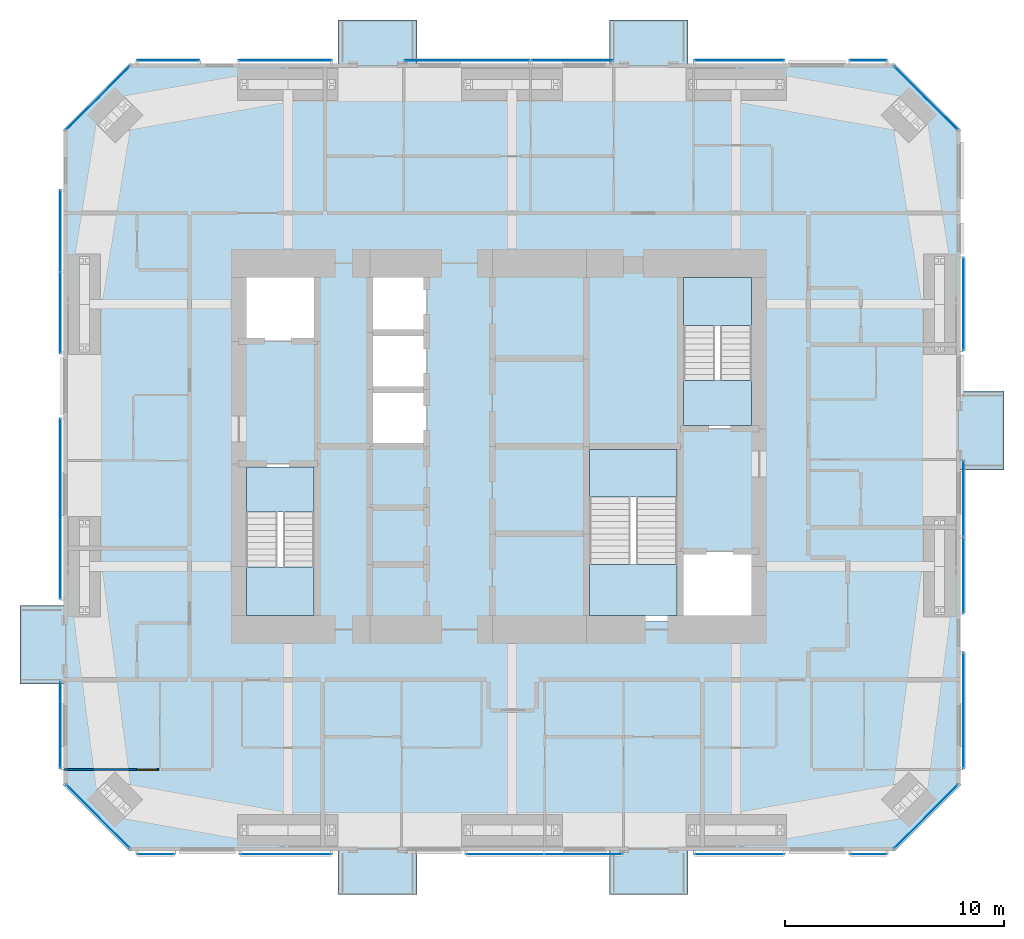
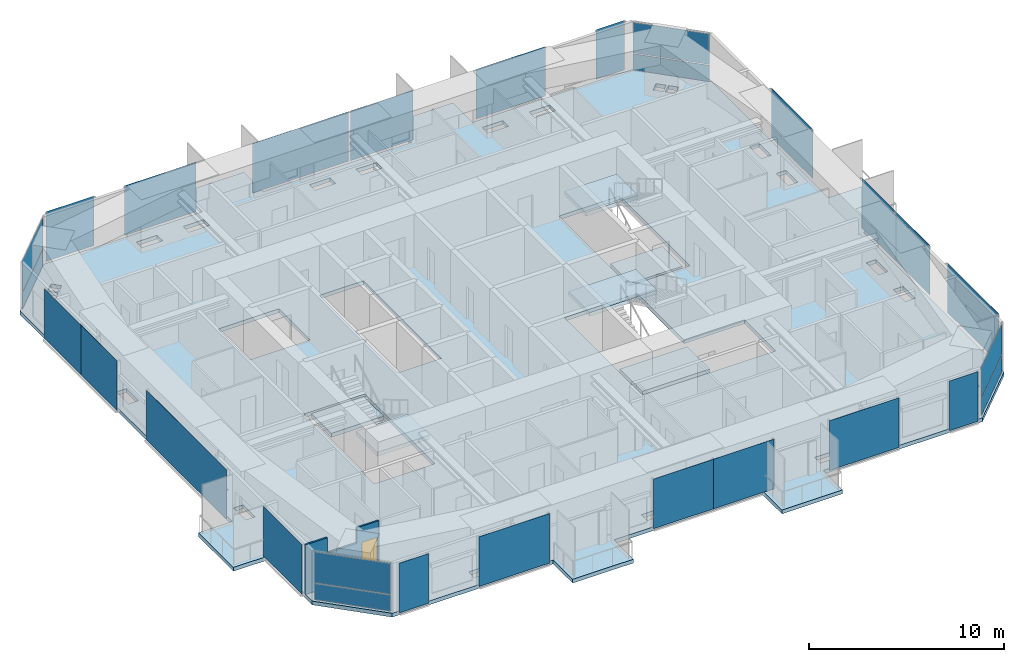
# One storey, part 14 of 22: 28 plates, 7 slabs, 1 door, 1 wall, 1 opening, 24 elements without a shape of their own.
"""IFC4 building model written with IfcOpenShell, lengths in metres."""

from ifc_helpers import new_model, si_unit, direction, frame, frame_2d, origin, origin_2d, place, context, subcontext, project, spatial, polyline, rectangle, outline, extrude, material, layer, layer_set, constituent, constituent_set, type_object, element, fill, aggregate, save


model = new_model("IFC4")

# Units and contexts
model_context = context("Model", 3, precision=1e-05, world=origin(), true_north=direction((0.0, 1.0)))
body_context = subcontext(model_context, "Body", "Model", "MODEL_VIEW")
ifc_project = project(units=[si_unit("LENGTHUNIT", "METRE"), si_unit("AREAUNIT", "SQUARE_METRE"), si_unit("VOLUMEUNIT", "CUBIC_METRE"), si_unit("PLANEANGLEUNIT", "RADIAN"), si_unit("MASSUNIT", "GRAM", prefix="KILO")], contexts=[model_context])

# Site, building, storey
site_placement = place(None, origin())
site = spatial("IfcSite", under=ifc_project, at=site_placement, CompositionType="ELEMENT")
building_placement = place(site_placement, origin())
building = spatial("IfcBuilding", under=site, at=building_placement, Name="Jalousie Tower", CompositionType="ELEMENT")
storey_placement = place(building_placement, frame((0.0, 0.0, 174.449951171875)))
storey = spatial("IfcBuildingStorey", under=building, at=storey_placement, Name="L47", CompositionType="ELEMENT", Elevation=174.449951171875)

# Curtain wall, plates
ifc_material_1 = material(Name="Aluminium curtain wall", Category="aluminium")
curtain_wall_type_1 = type_object("IfcCurtainWallType", Name="CORNER WINDOW WALL", PredefinedType="USERDEFINED", material=ifc_material_1)
curtain_wall_1_placement = place(storey_placement, origin())
curtain_wall_1 = element("IfcCurtainWall", 1, at=curtain_wall_1_placement, inside=storey, type_object=curtain_wall_type_1, Name="Corner Window Wall L47 2", ObjectType="CORNER WINDOW WALL", PredefinedType="USERDEFINED")
ifc_material_2 = material(Name="Laminated impact-rated spandrel glass", Category="glass")
ifc_layer_1 = layer(ifc_material_2, 0.028076171875)
ifc_layer_set_1 = layer_set([ifc_layer_1], Name="Laminated impact-rated spandrel glass")
plate_type_1 = type_object("IfcPlateType", Name="CORNER WINDOW WALL PANEL", PredefinedType="CURTAIN_PANEL", material=ifc_layer_set_1)
plate_1_placement = place(storey_placement, frame((51.4306640625, 1.5693359375, 0.06005859375), z_axis=(0.0, 0.0, 1.0), x_axis=(0.707106781187, 0.707106781187, 0.0)))
plate_1 = element("IfcPlate", 2, at=plate_1_placement, type_object=plate_type_1, Name="CW-C panel 1.1", PredefinedType="CURTAIN_PANEL", context=body_context, shape_type="SweptSolid", body=[
    extrude(rectangle(XDim=4.071533203125, YDim=0.028076171875, at=origin_2d()), origin(), (0.0, 0.0, 1.0), 1.010009765625),
])
plate_2_placement = place(storey_placement, frame((51.4306640625, 1.5693359375, 1.130126953125), z_axis=(0.0, 0.0, 1.0), x_axis=(0.707106781187, 0.707106781187, 0.0)))
plate_2 = element("IfcPlate", 3, at=plate_2_placement, type_object=plate_type_1, Name="CW-C panel 1.2", PredefinedType="CURTAIN_PANEL", context=body_context, shape_type="SweptSolid", body=[
    extrude(rectangle(XDim=4.071533203125, YDim=0.028076171875, at=origin_2d()), origin(), (0.0, 0.0, 1.0), 1.919921875),
])
aggregate(curtain_wall_1, [plate_1, plate_2])

curtain_wall_2_placement = place(storey_placement, origin())
curtain_wall_2 = element("IfcCurtainWall", 4, at=curtain_wall_2_placement, inside=storey, type_object=curtain_wall_type_1, Name="Corner Window Wall L47 4", ObjectType="CORNER WINDOW WALL", PredefinedType="USERDEFINED")
plate_3_placement = place(storey_placement, frame((51.4306640625, 34.4306640625, 0.06005859375), z_axis=(0.0, 0.0, 1.0), x_axis=(-0.707106781187, 0.707106781187, 0.0)))
plate_3 = element("IfcPlate", 5, at=plate_3_placement, type_object=plate_type_1, Name="CW-C panel 1.1", PredefinedType="CURTAIN_PANEL", context=body_context, shape_type="SweptSolid", body=[
    extrude(rectangle(XDim=4.071533203125, YDim=0.028076171875, at=origin_2d()), origin(), (0.0, 0.0, 1.0), 1.010009765625),
])
plate_4_placement = place(storey_placement, frame((51.4306640625, 34.4306640625, 1.130126953125), z_axis=(0.0, 0.0, 1.0), x_axis=(-0.707106781187, 0.707106781187, 0.0)))
plate_4 = element("IfcPlate", 6, at=plate_4_placement, type_object=plate_type_1, Name="CW-C panel 1.2", PredefinedType="CURTAIN_PANEL", context=body_context, shape_type="SweptSolid", body=[
    extrude(rectangle(XDim=4.071533203125, YDim=0.028076171875, at=origin_2d()), origin(), (0.0, 0.0, 1.0), 1.919921875),
])
aggregate(curtain_wall_2, [plate_3, plate_4])

curtain_wall_3_placement = place(storey_placement, origin())
curtain_wall_3 = element("IfcCurtainWall", 7, at=curtain_wall_3_placement, inside=storey, type_object=curtain_wall_type_1, Name="Corner Window Wall L47 6", ObjectType="CORNER WINDOW WALL", PredefinedType="USERDEFINED")
plate_5_placement = place(storey_placement, frame((13.5693359375, 34.4306640625, 0.06005859375), z_axis=(0.0, 0.0, 1.0), x_axis=(-0.707106781187, -0.707106781187, 0.0)))
plate_5 = element("IfcPlate", 8, at=plate_5_placement, type_object=plate_type_1, Name="CW-C panel 1.1", PredefinedType="CURTAIN_PANEL", context=body_context, shape_type="SweptSolid", body=[
    extrude(rectangle(XDim=4.071533203125, YDim=0.028076171875, at=origin_2d()), origin(), (0.0, 0.0, 1.0), 1.010009765625),
])
plate_6_placement = place(storey_placement, frame((13.5693359375, 34.4306640625, 1.130126953125), z_axis=(0.0, 0.0, 1.0), x_axis=(-0.707106781187, -0.707106781187, 0.0)))
plate_6 = element("IfcPlate", 9, at=plate_6_placement, type_object=plate_type_1, Name="CW-C panel 1.2", PredefinedType="CURTAIN_PANEL", context=body_context, shape_type="SweptSolid", body=[
    extrude(rectangle(XDim=4.071533203125, YDim=0.028076171875, at=origin_2d()), origin(), (0.0, 0.0, 1.0), 1.919921875),
])
aggregate(curtain_wall_3, [plate_5, plate_6])

curtain_wall_4_placement = place(storey_placement, origin())
curtain_wall_4 = element("IfcCurtainWall", 10, at=curtain_wall_4_placement, inside=storey, type_object=curtain_wall_type_1, Name="Corner Window Wall L47 8", ObjectType="CORNER WINDOW WALL", PredefinedType="USERDEFINED")
plate_7_placement = place(storey_placement, frame((13.5693359375, 1.5693359375, 0.06005859375), z_axis=(0.0, 0.0, 1.0), x_axis=(0.707106781187, -0.707106781187, 0.0)))
plate_7 = element("IfcPlate", 11, at=plate_7_placement, type_object=plate_type_1, Name="CW-C panel 1.1", PredefinedType="CURTAIN_PANEL", context=body_context, shape_type="SweptSolid", body=[
    extrude(rectangle(XDim=4.071533203125, YDim=0.028076171875, at=origin_2d()), origin(), (0.0, 0.0, 1.0), 1.010009765625),
])
plate_8_placement = place(storey_placement, frame((13.5693359375, 1.5693359375, 1.130126953125), z_axis=(0.0, 0.0, 1.0), x_axis=(0.707106781187, -0.707106781187, 0.0)))
plate_8 = element("IfcPlate", 12, at=plate_8_placement, type_object=plate_type_1, Name="CW-C panel 1.2", PredefinedType="CURTAIN_PANEL", context=body_context, shape_type="SweptSolid", body=[
    extrude(rectangle(XDim=4.071533203125, YDim=0.028076171875, at=origin_2d()), origin(), (0.0, 0.0, 1.0), 1.919921875),
])
aggregate(curtain_wall_4, [plate_7, plate_8])

# Slab
ifc_material_3 = material(Name="Concrete f'c 40 MPa", Category="concrete")
ifc_layer_2 = layer(ifc_material_3, 0.239990234375)
ifc_layer_set_2 = layer_set([ifc_layer_2], Name="Concrete f'c 40 MPa")
slab_type_1 = type_object("IfcSlabType", Name="FLOOR SLAB 240", PredefinedType="FLOOR", material=ifc_layer_set_2)
slab_1_placement = place(storey_placement, frame((0.0, 0.0, -0.239990234375)))
element("IfcSlab", 13, at=slab_1_placement, inside=storey, type_object=slab_type_1, Name="L47 floor slab", PredefinedType="FLOOR", context=body_context, shape_type="SweptSolid", body=[
    extrude(outline(polyline([(40.550048828125, 38.0), (40.550048828125, 36.0), (50.0, 36.0), (53.0, 33.0), (53.0, 21.02490234375), (55.0, 21.02490234375), (55.0, 17.425048828125), (53.0, 17.425048828125), (53.0, 3.0), (50.0, 0.0), (40.550048828125, 0.0), (40.550048828125, -2.0), (36.949951171875, -2.0), (36.949951171875, 0.0), (28.14990234375, 0.0), (28.14990234375, -2.0), (24.550048828125, -2.0), (24.550048828125, 0.0), (15.0, 0.0), (12.0, 3.0), (12.0, 7.625), (10.0, 7.625), (10.0, 11.22509765625), (12.0, 11.22509765625), (12.0, 33.0), (15.0, 36.0), (24.550048828125, 36.0), (24.550048828125, 38.0), (28.14990234375, 38.0), (28.14990234375, 36.0), (36.949951171875, 36.0), (36.949951171875, 38.0), (40.550048828125, 38.0)]), holes=[polyline([(51.763916015625, 27.0), (51.763916015625, 25.77294921875), (52.336181640625, 25.77294921875), (52.336181640625, 27.0), (51.763916015625, 27.0)]), polyline([(52.336181640625, 24.22705078125), (51.763916015625, 24.22705078125), (51.763916015625, 23.0), (52.336181640625, 23.0), (52.336181640625, 24.22705078125)]), polyline([(52.336181640625, 15.0), (51.763916015625, 15.0), (51.763916015625, 13.77294921875), (52.336181640625, 13.77294921875), (52.336181640625, 15.0)]), polyline([(52.336181640625, 12.22705078125), (51.763916015625, 12.22705078125), (51.763916015625, 11.0), (52.336181640625, 11.0), (52.336181640625, 12.22705078125)]), polyline([(50.873291015625, 33.02490234375), (51.278076171875, 33.4296875), (50.89599609375, 33.811767578125), (50.4912109375, 33.406982421875), (50.873291015625, 33.02490234375)]), polyline([(50.89599609375, 2.188232421875), (51.278076171875, 2.5703125), (50.873291015625, 2.97509765625), (50.4912109375, 2.593017578125), (50.89599609375, 2.188232421875)]), polyline([(50.02490234375, 2.126708984375), (50.4296875, 1.721923828125), (50.811767578125, 2.10400390625), (50.406982421875, 2.5087890625), (50.02490234375, 2.126708984375)]), polyline([(50.4296875, 34.278076171875), (50.02490234375, 33.873291015625), (50.406982421875, 33.4912109375), (50.811767578125, 33.89599609375), (50.4296875, 34.278076171875)]), polyline([(43.52294921875, 34.763916015625), (44.75, 34.763916015625), (44.75, 35.336181640625), (43.52294921875, 35.336181640625), (43.52294921875, 34.763916015625)]), polyline([(43.52294921875, 0.663818359375), (44.75, 0.663818359375), (44.75, 1.236083984375), (43.52294921875, 1.236083984375), (43.52294921875, 0.663818359375)]), polyline([(43.800048828125, 26.5), (40.199951171875, 26.5), (40.199951171875, 19.300048828125), (43.800048828125, 19.300048828125), (43.800048828125, 26.5)]), polyline([(43.800048828125, 10.5), (43.800048828125, 13.699951171875), (40.199951171875, 13.699951171875), (40.199951171875, 18.5), (35.89990234375, 18.5), (35.89990234375, 10.5), (43.800048828125, 10.5)]), polyline([(40.75, 35.336181640625), (40.75, 34.763916015625), (41.97705078125, 34.763916015625), (41.97705078125, 35.336181640625), (40.75, 35.336181640625)]), polyline([(41.97705078125, 1.236083984375), (40.75, 1.236083984375), (40.75, 0.663818359375), (41.97705078125, 0.663818359375), (41.97705078125, 1.236083984375)]), polyline([(34.5, 0.663818359375), (34.5, 1.236083984375), (33.27294921875, 1.236083984375), (33.27294921875, 0.663818359375), (34.5, 0.663818359375)]), polyline([(34.5, 34.763916015625), (34.5, 35.336181640625), (33.27294921875, 35.336181640625), (33.27294921875, 34.763916015625), (34.5, 34.763916015625)]), polyline([(30.5, 35.336181640625), (30.5, 34.763916015625), (31.72705078125, 34.763916015625), (31.72705078125, 35.336181640625), (30.5, 35.336181640625)]), polyline([(30.5, 1.236083984375), (30.5, 0.663818359375), (31.72705078125, 0.663818359375), (31.72705078125, 1.236083984375), (30.5, 1.236083984375)]), polyline([(26.0, 26.5), (26.0, 18.5), (28.60009765625, 18.5), (28.60009765625, 26.5), (26.0, 26.5)]), polyline([(23.02294921875, 35.336181640625), (23.02294921875, 34.763916015625), (24.25, 34.763916015625), (24.25, 35.336181640625), (23.02294921875, 35.336181640625)]), polyline([(24.25, 0.663818359375), (24.25, 1.236083984375), (23.02294921875, 1.236083984375), (23.02294921875, 0.663818359375), (24.25, 0.663818359375)]), polyline([(23.60009765625, 26.5), (20.0, 26.5), (20.0, 23.300048828125), (23.60009765625, 23.300048828125), (23.60009765625, 26.5)]), polyline([(23.60009765625, 17.699951171875), (20.0, 17.699951171875), (20.0, 10.5), (23.60009765625, 10.5), (23.60009765625, 17.699951171875)]), polyline([(21.47705078125, 34.763916015625), (21.47705078125, 35.336181640625), (20.25, 35.336181640625), (20.25, 34.763916015625), (21.47705078125, 34.763916015625)]), polyline([(21.47705078125, 0.663818359375), (21.47705078125, 1.236083984375), (20.25, 1.236083984375), (20.25, 0.663818359375), (21.47705078125, 0.663818359375)]), polyline([(14.5703125, 34.278076171875), (14.188232421875, 33.89599609375), (14.593017578125, 33.4912109375), (14.97509765625, 33.873291015625), (14.5703125, 34.278076171875)]), polyline([(14.593017578125, 2.5087890625), (14.188232421875, 2.10400390625), (14.5703125, 1.721923828125), (14.97509765625, 2.126708984375), (14.593017578125, 2.5087890625)]), polyline([(14.5087890625, 33.406982421875), (14.10400390625, 33.811767578125), (13.721923828125, 33.4296875), (14.126708984375, 33.02490234375), (14.5087890625, 33.406982421875)]), polyline([(14.10400390625, 2.188232421875), (14.5087890625, 2.593017578125), (14.126708984375, 2.97509765625), (13.721923828125, 2.5703125), (14.10400390625, 2.188232421875)]), polyline([(12.663818359375, 23.0), (13.236083984375, 23.0), (13.236083984375, 24.22705078125), (12.663818359375, 24.22705078125), (12.663818359375, 23.0)]), polyline([(13.236083984375, 27.0), (12.663818359375, 27.0), (12.663818359375, 25.77294921875), (13.236083984375, 25.77294921875), (13.236083984375, 27.0)]), polyline([(12.663818359375, 15.0), (12.663818359375, 13.77294921875), (13.236083984375, 13.77294921875), (13.236083984375, 15.0), (12.663818359375, 15.0)]), polyline([(13.236083984375, 12.22705078125), (12.663818359375, 12.22705078125), (12.663818359375, 11.0), (13.236083984375, 11.0), (13.236083984375, 12.22705078125)])]), origin(), (0.0, 0.0, 1.0), 0.239990234375),
])

# Curtain wall, plate
ifc_material_4 = material(Name="Perforated aluminium sheet", Category="aluminium")
curtain_wall_type_2 = type_object("IfcCurtainWallType", Name="SOLAR SCREEN SS-1", PredefinedType="USERDEFINED", material=ifc_material_4)
curtain_wall_5_placement = place(storey_placement, origin())
curtain_wall_5 = element("IfcCurtainWall", 14, at=curtain_wall_5_placement, inside=storey, type_object=curtain_wall_type_2, Name="Solar screen L47", ObjectType="SOLAR SCREEN SS-1", PredefinedType="USERDEFINED")
ifc_material_5 = material(Name="Perforated aluminium sheet", Category="aluminium")
ifc_layer_3 = layer(ifc_material_5, 0.006103515625)
ifc_layer_set_3 = layer_set([ifc_layer_3], Name="Perforated aluminium sheet")
plate_type_2 = type_object("IfcPlateType", Name="SOLAR SCREEN SS-1 PANEL", PredefinedType="CURTAIN_PANEL", material=ifc_layer_set_3)
plate_9_placement = place(storey_placement, frame((16.2060546875, -0.150390625, 0.0), z_axis=(0.0, 0.0, 1.0), x_axis=(1.0, 0.0, 0.0)))
plate_9 = element("IfcPlate", 15, at=plate_9_placement, type_object=plate_type_2, Name="SS1 perforated panel 1", PredefinedType="CURTAIN_PANEL", context=body_context, shape_type="SweptSolid", body=[
    extrude(rectangle(XDim=1.709716796875, YDim=0.006103515625, at=origin_2d()), origin(), (0.0, 0.0, 1.0), 3.110107421875),
])
aggregate(curtain_wall_5, [plate_9])

curtain_wall_6_placement = place(storey_placement, origin())
curtain_wall_6 = element("IfcCurtainWall", 16, at=curtain_wall_6_placement, inside=storey, type_object=curtain_wall_type_2, Name="Solar screen L47", ObjectType="SOLAR SCREEN SS-1", PredefinedType="USERDEFINED")
plate_10_placement = place(storey_placement, frame((22.155517578125, -0.150390625, 0.0), z_axis=(0.0, 0.0, 1.0), x_axis=(1.0, 0.0, 0.0)))
plate_10 = element("IfcPlate", 17, at=plate_10_placement, type_object=plate_type_2, Name="SS1 perforated panel 1", PredefinedType="CURTAIN_PANEL", context=body_context, shape_type="SweptSolid", body=[
    extrude(rectangle(XDim=4.189208984375, YDim=0.006103515625, at=origin_2d()), origin(), (0.0, 0.0, 1.0), 3.110107421875),
])
aggregate(curtain_wall_6, [plate_10])

# Curtain wall, plates
curtain_wall_7_placement = place(storey_placement, origin())
curtain_wall_7 = element("IfcCurtainWall", 18, at=curtain_wall_7_placement, inside=storey, type_object=curtain_wall_type_2, Name="Solar screen L47", ObjectType="SOLAR SCREEN SS-1", PredefinedType="USERDEFINED")
plate_11_placement = place(storey_placement, frame((32.1875, -0.150390625, 0.0), z_axis=(0.0, 0.0, 1.0), x_axis=(1.0, 0.0, 0.0)))
plate_11 = element("IfcPlate", 19, at=plate_11_placement, type_object=plate_type_2, Name="SS1 perforated panel 1", PredefinedType="CURTAIN_PANEL", context=body_context, shape_type="SweptSolid", body=[
    extrude(rectangle(XDim=3.574951171875, YDim=0.006103515625, at=origin_2d()), origin(), (0.0, 0.0, 1.0), 3.110107421875),
])
plate_12_placement = place(storey_placement, frame((35.762451171875, -0.150390625, 0.0), z_axis=(0.0, 0.0, 1.0), x_axis=(1.0, 0.0, 0.0)))
plate_12 = element("IfcPlate", 20, at=plate_12_placement, type_object=plate_type_2, Name="SS1 perforated panel 2", PredefinedType="CURTAIN_PANEL", context=body_context, shape_type="SweptSolid", body=[
    extrude(rectangle(XDim=3.574951171875, YDim=0.006103515625, at=origin_2d()), origin(), (0.0, 0.0, 1.0), 3.110107421875),
])
aggregate(curtain_wall_7, [plate_11, plate_12])

# Curtain wall, plate
curtain_wall_8_placement = place(storey_placement, origin())
curtain_wall_8 = element("IfcCurtainWall", 21, at=curtain_wall_8_placement, inside=storey, type_object=curtain_wall_type_2, Name="Solar screen L47", ObjectType="SOLAR SCREEN SS-1", PredefinedType="USERDEFINED")
plate_13_placement = place(storey_placement, frame((42.9033203125, -0.150390625, 0.0), z_axis=(0.0, 0.0, 1.0), x_axis=(1.0, 0.0, 0.0)))
plate_13 = element("IfcPlate", 22, at=plate_13_placement, type_object=plate_type_2, Name="SS1 perforated panel 1", PredefinedType="CURTAIN_PANEL", context=body_context, shape_type="SweptSolid", body=[
    extrude(rectangle(XDim=4.106689453125, YDim=0.006103515625, at=origin_2d()), origin(), (0.0, 0.0, 1.0), 3.110107421875),
])
aggregate(curtain_wall_8, [plate_13])

curtain_wall_9_placement = place(storey_placement, origin())
curtain_wall_9 = element("IfcCurtainWall", 23, at=curtain_wall_9_placement, inside=storey, type_object=curtain_wall_type_2, Name="Solar screen L47", ObjectType="SOLAR SCREEN SS-1", PredefinedType="USERDEFINED")
plate_14_placement = place(storey_placement, frame((48.802734375, -0.150390625, 0.0), z_axis=(0.0, 0.0, 1.0), x_axis=(1.0, 0.0, 0.0)))
plate_14 = element("IfcPlate", 24, at=plate_14_placement, type_object=plate_type_2, Name="SS1 perforated panel 1", PredefinedType="CURTAIN_PANEL", context=body_context, shape_type="SweptSolid", body=[
    extrude(rectangle(XDim=1.69189453125, YDim=0.006103515625, at=origin_2d()), origin(), (0.0, 0.0, 1.0), 3.110107421875),
])
aggregate(curtain_wall_9, [plate_14])

curtain_wall_10_placement = place(storey_placement, origin())
curtain_wall_10 = element("IfcCurtainWall", 25, at=curtain_wall_10_placement, inside=storey, type_object=curtain_wall_type_2, Name="Solar screen L47", ObjectType="SOLAR SCREEN SS-1", PredefinedType="USERDEFINED")
plate_15_placement = place(storey_placement, frame((53.150390625, 6.421630859375, 0.0), z_axis=(0.0, 0.0, 1.0), x_axis=(0.0, 1.0, 0.0)))
plate_15 = element("IfcPlate", 26, at=plate_15_placement, type_object=plate_type_2, Name="SS1 perforated panel 1", PredefinedType="CURTAIN_PANEL", context=body_context, shape_type="SweptSolid", body=[
    extrude(rectangle(XDim=5.300537109375, YDim=0.006103515625, at=origin_2d()), origin(), (0.0, 0.0, 1.0), 3.110107421875),
])
aggregate(curtain_wall_10, [plate_15])

# Curtain wall, plates
curtain_wall_11_placement = place(storey_placement, origin())
curtain_wall_11 = element("IfcCurtainWall", 27, at=curtain_wall_11_placement, inside=storey, type_object=curtain_wall_type_2, Name="Solar screen L47", ObjectType="SOLAR SCREEN SS-1", PredefinedType="USERDEFINED")
plate_16_placement = place(storey_placement, frame((53.150390625, 12.616455078125, 0.0), z_axis=(0.0, 0.0, 1.0), x_axis=(0.0, 1.0, 0.0)))
plate_16 = element("IfcPlate", 28, at=plate_16_placement, type_object=plate_type_2, Name="SS1 perforated panel 1", PredefinedType="CURTAIN_PANEL", context=body_context, shape_type="SweptSolid", body=[
    extrude(rectangle(XDim=3.489013671875, YDim=0.006103515625, at=origin_2d()), origin(), (0.0, 0.0, 1.0), 3.110107421875),
])
plate_17_placement = place(storey_placement, frame((53.150390625, 16.10546875, 0.0), z_axis=(0.0, 0.0, 1.0), x_axis=(0.0, 1.0, 0.0)))
plate_17 = element("IfcPlate", 29, at=plate_17_placement, type_object=plate_type_2, Name="SS1 perforated panel 2", PredefinedType="CURTAIN_PANEL", context=body_context, shape_type="SweptSolid", body=[
    extrude(rectangle(XDim=3.489013671875, YDim=0.006103515625, at=origin_2d()), origin(), (0.0, 0.0, 1.0), 3.110107421875),
])
aggregate(curtain_wall_11, [plate_16, plate_17])

# Curtain wall, plate
curtain_wall_12_placement = place(storey_placement, origin())
curtain_wall_12 = element("IfcCurtainWall", 30, at=curtain_wall_12_placement, inside=storey, type_object=curtain_wall_type_2, Name="Solar screen L47", ObjectType="SOLAR SCREEN SS-1", PredefinedType="USERDEFINED")
plate_18_placement = place(storey_placement, frame((53.150390625, 25.005859375, 0.0), z_axis=(0.0, 0.0, 1.0), x_axis=(0.0, 1.0, 0.0)))
plate_18 = element("IfcPlate", 31, at=plate_18_placement, type_object=plate_type_2, Name="SS1 perforated panel 1", PredefinedType="CURTAIN_PANEL", context=body_context, shape_type="SweptSolid", body=[
    extrude(rectangle(XDim=4.23681640625, YDim=0.006103515625, at=origin_2d()), origin(), (0.0, 0.0, 1.0), 3.110107421875),
])
aggregate(curtain_wall_12, [plate_18])

curtain_wall_13_placement = place(storey_placement, origin())
curtain_wall_13 = element("IfcCurtainWall", 32, at=curtain_wall_13_placement, inside=storey, type_object=curtain_wall_type_2, Name="Solar screen L47", ObjectType="SOLAR SCREEN SS-1", PredefinedType="USERDEFINED")
plate_19_placement = place(storey_placement, frame((48.798828125, 36.150390625, 0.0), z_axis=(0.0, 0.0, 1.0), x_axis=(-1.0, 0.0, 0.0)))
plate_19 = element("IfcPlate", 33, at=plate_19_placement, type_object=plate_type_2, Name="SS1 perforated panel 1", PredefinedType="CURTAIN_PANEL", context=body_context, shape_type="SweptSolid", body=[
    extrude(rectangle(XDim=1.69970703125, YDim=0.006103515625, at=origin_2d()), origin(), (0.0, 0.0, 1.0), 3.110107421875),
])
aggregate(curtain_wall_13, [plate_19])

curtain_wall_14_placement = place(storey_placement, origin())
curtain_wall_14 = element("IfcCurtainWall", 34, at=curtain_wall_14_placement, inside=storey, type_object=curtain_wall_type_2, Name="Solar screen L47", ObjectType="SOLAR SCREEN SS-1", PredefinedType="USERDEFINED")
plate_20_placement = place(storey_placement, frame((42.899658203125, 36.150390625, 0.0), z_axis=(0.0, 0.0, 1.0), x_axis=(-1.0, 0.0, 0.0)))
plate_20 = element("IfcPlate", 35, at=plate_20_placement, type_object=plate_type_2, Name="SS1 perforated panel 1", PredefinedType="CURTAIN_PANEL", context=body_context, shape_type="SweptSolid", body=[
    extrude(rectangle(XDim=4.09912109375, YDim=0.006103515625, at=origin_2d()), origin(), (0.0, 0.0, 1.0), 3.110107421875),
])
aggregate(curtain_wall_14, [plate_20])

curtain_wall_15_placement = place(storey_placement, origin())
curtain_wall_15 = element("IfcCurtainWall", 36, at=curtain_wall_15_placement, inside=storey, type_object=curtain_wall_type_2, Name="Solar screen L47", ObjectType="SOLAR SCREEN SS-1", PredefinedType="USERDEFINED")
plate_21_placement = place(storey_placement, frame((35.25, 36.150390625, 0.0), z_axis=(0.0, 0.0, 1.0), x_axis=(-1.0, 0.0, 0.0)))
plate_21 = element("IfcPlate", 37, at=plate_21_placement, type_object=plate_type_2, Name="SS1 perforated panel 1", PredefinedType="CURTAIN_PANEL", context=body_context, shape_type="SweptSolid", body=[
    extrude(rectangle(XDim=3.699951171875, YDim=0.006103515625, at=origin_2d()), origin(), (0.0, 0.0, 1.0), 3.110107421875),
])
aggregate(curtain_wall_15, [plate_21])

curtain_wall_16_placement = place(storey_placement, origin())
curtain_wall_16 = element("IfcCurtainWall", 38, at=curtain_wall_16_placement, inside=storey, type_object=curtain_wall_type_2, Name="Solar screen L47", ObjectType="SOLAR SCREEN SS-1", PredefinedType="USERDEFINED")
plate_22_placement = place(storey_placement, frame((30.449951171875, 36.150390625, 0.0), z_axis=(0.0, 0.0, 1.0), x_axis=(-1.0, 0.0, 0.0)))
plate_22 = element("IfcPlate", 39, at=plate_22_placement, type_object=plate_type_2, Name="SS1 perforated panel 1", PredefinedType="CURTAIN_PANEL", context=body_context, shape_type="SweptSolid", body=[
    extrude(rectangle(XDim=5.699951171875, YDim=0.006103515625, at=origin_2d()), origin(), (0.0, 0.0, 1.0), 3.110107421875),
])
aggregate(curtain_wall_16, [plate_22])

curtain_wall_17_placement = place(storey_placement, origin())
curtain_wall_17 = element("IfcCurtainWall", 40, at=curtain_wall_17_placement, inside=storey, type_object=curtain_wall_type_2, Name="Solar screen L47", ObjectType="SOLAR SCREEN SS-1", PredefinedType="USERDEFINED")
plate_23_placement = place(storey_placement, frame((22.127685546875, 36.150390625, 0.0), z_axis=(0.0, 0.0, 1.0), x_axis=(-1.0, 0.0, 0.0)))
plate_23 = element("IfcPlate", 41, at=plate_23_placement, type_object=plate_type_2, Name="SS1 perforated panel 1", PredefinedType="CURTAIN_PANEL", context=body_context, shape_type="SweptSolid", body=[
    extrude(rectangle(XDim=4.244384765625, YDim=0.006103515625, at=origin_2d()), origin(), (0.0, 0.0, 1.0), 3.110107421875),
])
aggregate(curtain_wall_17, [plate_23])

curtain_wall_18_placement = place(storey_placement, origin())
curtain_wall_18 = element("IfcCurtainWall", 42, at=curtain_wall_18_placement, inside=storey, type_object=curtain_wall_type_2, Name="Solar screen L47", ObjectType="SOLAR SCREEN SS-1", PredefinedType="USERDEFINED")
plate_24_placement = place(storey_placement, frame((16.7783203125, 36.150390625, 0.0), z_axis=(0.0, 0.0, 1.0), x_axis=(-1.0, 0.0, 0.0)))
plate_24 = element("IfcPlate", 43, at=plate_24_placement, type_object=plate_type_2, Name="SS1 perforated panel 1", PredefinedType="CURTAIN_PANEL", context=body_context, shape_type="SweptSolid", body=[
    extrude(rectangle(XDim=2.854248046875, YDim=0.006103515625, at=origin_2d()), origin(), (0.0, 0.0, 1.0), 3.110107421875),
])
aggregate(curtain_wall_18, [plate_24])

# Curtain wall, plates
curtain_wall_19_placement = place(storey_placement, origin())
curtain_wall_19 = element("IfcCurtainWall", 44, at=curtain_wall_19_placement, inside=storey, type_object=curtain_wall_type_2, Name="Solar screen L47", ObjectType="SOLAR SCREEN SS-1", PredefinedType="USERDEFINED")
plate_25_placement = place(storey_placement, frame((11.849609375, 28.3505859375, 0.0), z_axis=(0.0, 0.0, 1.0), x_axis=(0.0, -1.0, 0.0)))
plate_25 = element("IfcPlate", 45, at=plate_25_placement, type_object=plate_type_2, Name="SS1 perforated panel 1", PredefinedType="CURTAIN_PANEL", context=body_context, shape_type="SweptSolid", body=[
    extrude(rectangle(XDim=3.722412109375, YDim=0.006103515625, at=origin_2d()), origin(), (0.0, 0.0, 1.0), 3.110107421875),
])
plate_26_placement = place(storey_placement, frame((11.849609375, 24.628173828125, 0.0), z_axis=(0.0, 0.0, 1.0), x_axis=(0.0, -1.0, 0.0)))
plate_26 = element("IfcPlate", 46, at=plate_26_placement, type_object=plate_type_2, Name="SS1 perforated panel 2", PredefinedType="CURTAIN_PANEL", context=body_context, shape_type="SweptSolid", body=[
    extrude(rectangle(XDim=3.722412109375, YDim=0.006103515625, at=origin_2d()), origin(), (0.0, 0.0, 1.0), 3.110107421875),
])
aggregate(curtain_wall_19, [plate_25, plate_26])

# Curtain wall, plate
curtain_wall_20_placement = place(storey_placement, origin())
curtain_wall_20 = element("IfcCurtainWall", 47, at=curtain_wall_20_placement, inside=storey, type_object=curtain_wall_type_2, Name="Solar screen L47", ObjectType="SOLAR SCREEN SS-1", PredefinedType="USERDEFINED")
plate_27_placement = place(storey_placement, frame((11.849609375, 15.64599609375, 0.0), z_axis=(0.0, 0.0, 1.0), x_axis=(0.0, -1.0, 0.0)))
plate_27 = element("IfcPlate", 48, at=plate_27_placement, type_object=plate_type_2, Name="SS1 perforated panel 1", PredefinedType="CURTAIN_PANEL", context=body_context, shape_type="SweptSolid", body=[
    extrude(rectangle(XDim=8.24169921875, YDim=0.006103515625, at=origin_2d()), origin(), (0.0, 0.0, 1.0), 3.110107421875),
])
aggregate(curtain_wall_20, [plate_27])

curtain_wall_21_placement = place(storey_placement, origin())
curtain_wall_21 = element("IfcCurtainWall", 49, at=curtain_wall_21_placement, inside=storey, type_object=curtain_wall_type_2, Name="Solar screen L47", ObjectType="SOLAR SCREEN SS-1", PredefinedType="USERDEFINED")
plate_28_placement = place(storey_placement, frame((11.849609375, 5.748046875, 0.0), z_axis=(0.0, 0.0, 1.0), x_axis=(0.0, -1.0, 0.0)))
plate_28 = element("IfcPlate", 50, at=plate_28_placement, type_object=plate_type_2, Name="SS1 perforated panel 1", PredefinedType="CURTAIN_PANEL", context=body_context, shape_type="SweptSolid", body=[
    extrude(rectangle(XDim=3.95361328125, YDim=0.006103515625, at=origin_2d()), origin(), (0.0, 0.0, 1.0), 3.110107421875),
])
aggregate(curtain_wall_21, [plate_28])

# Stair, slabs
ifc_material_6 = material(Name="Concrete f'c 40 MPa", Category="concrete")
stair_type = type_object("IfcStairType", Name="EXIT STAIR", PredefinedType="HALF_TURN_STAIR", material=ifc_material_6)
stair_1_placement = place(storey_placement, origin())
stair_1 = element("IfcStair", 51, at=stair_1_placement, inside=storey, type_object=stair_type, Name="Exit stair A L47", PredefinedType="HALF_TURN_STAIR")
ifc_material_7 = material(Name="Concrete f'c 40 MPa", Category="concrete")
ifc_layer_4 = layer(ifc_material_7, 0.25)
ifc_layer_set_4 = layer_set([ifc_layer_4], Name="Concrete f'c 40 MPa")
slab_type_2 = type_object("IfcSlabType", Name="STAIR LANDING 250", PredefinedType="LANDING", material=ifc_layer_set_4)
slab_2_placement = place(storey_placement, frame((0.0, 0.0, -0.25)))
slab_2 = element("IfcSlab", 52, at=slab_2_placement, type_object=slab_type_2, Name="ST-A landing 1", PredefinedType="LANDING", context=body_context, shape_type="SweptSolid", body=[
    extrude(outline(polyline([(20.35009765625, 15.49755859375), (23.449951171875, 15.49755859375), (23.449951171875, 17.550048828125), (20.35009765625, 17.550048828125), (20.35009765625, 15.49755859375)])), origin(), (0.0, 0.0, 1.0), 0.25),
])
slab_3_placement = place(storey_placement, frame((0.0, 0.0, 1.425048828125)))
slab_3 = element("IfcSlab", 53, at=slab_3_placement, type_object=slab_type_2, Name="ST-A landing 2", PredefinedType="LANDING", context=body_context, shape_type="SweptSolid", body=[
    extrude(outline(polyline([(20.35009765625, 10.77490234375), (23.449951171875, 10.77490234375), (23.449951171875, 12.9775390625), (20.35009765625, 12.9775390625), (20.35009765625, 10.77490234375)])), origin(), (0.0, 0.0, 1.0), 0.25),
])
aggregate(stair_1, [slab_2, slab_3])

stair_2_placement = place(storey_placement, origin())
stair_2 = element("IfcStair", 54, at=stair_2_placement, inside=storey, type_object=stair_type, Name="Exit stair B L47", PredefinedType="HALF_TURN_STAIR")
slab_4_placement = place(storey_placement, frame((0.0, 0.0, -0.25)))
slab_4 = element("IfcSlab", 55, at=slab_4_placement, type_object=slab_type_2, Name="ST-B landing 1", PredefinedType="LANDING", context=body_context, shape_type="SweptSolid", body=[
    extrude(outline(polyline([(40.35009765625, 19.449951171875), (43.449951171875, 19.449951171875), (43.449951171875, 21.50244140625), (40.35009765625, 21.50244140625), (40.35009765625, 19.449951171875)])), origin(), (0.0, 0.0, 1.0), 0.25),
])
slab_5_placement = place(storey_placement, frame((0.0, 0.0, 1.425048828125)))
slab_5 = element("IfcSlab", 56, at=slab_5_placement, type_object=slab_type_2, Name="ST-B landing 2", PredefinedType="LANDING", context=body_context, shape_type="SweptSolid", body=[
    extrude(outline(polyline([(40.35009765625, 24.0224609375), (43.449951171875, 24.0224609375), (43.449951171875, 26.22509765625), (40.35009765625, 26.22509765625), (40.35009765625, 24.0224609375)])), origin(), (0.0, 0.0, 1.0), 0.25),
])
aggregate(stair_2, [slab_4, slab_5])

stair_3_placement = place(storey_placement, origin())
stair_3 = element("IfcStair", 57, at=stair_3_placement, inside=storey, type_object=stair_type, Name="Exit stair C L47", PredefinedType="HALF_TURN_STAIR")
slab_6_placement = place(storey_placement, frame((0.0, 0.0, -0.25)))
slab_6 = element("IfcSlab", 58, at=slab_6_placement, type_object=slab_type_2, Name="ST-C landing 1", PredefinedType="LANDING", context=body_context, shape_type="SweptSolid", body=[
    extrude(outline(polyline([(36.050048828125, 10.77490234375), (40.050048828125, 10.77490234375), (40.050048828125, 13.097412109375), (36.050048828125, 13.097412109375), (36.050048828125, 10.77490234375)])), origin(), (0.0, 0.0, 1.0), 0.25),
])
slab_7_placement = place(storey_placement, frame((0.0, 0.0, 1.425048828125)))
slab_7 = element("IfcSlab", 59, at=slab_7_placement, type_object=slab_type_2, Name="ST-C landing 2", PredefinedType="LANDING", context=body_context, shape_type="SweptSolid", body=[
    extrude(outline(polyline([(36.050048828125, 16.177490234375), (40.050048828125, 16.177490234375), (40.050048828125, 18.35009765625), (36.050048828125, 18.35009765625), (36.050048828125, 16.177490234375)])), origin(), (0.0, 0.0, 1.0), 0.25),
])
aggregate(stair_3, [slab_6, slab_7])

# Wall, opening, door
ifc_material_8 = material(Name="Gypsum board", Category="gypsum")
ifc_constituent_1 = constituent(ifc_material_8, Name="Body")
ifc_material_9 = material(Name="Light-gauge steel studs ASTM A653 SS Grade 33", Category="steel")
ifc_constituent_2 = constituent(ifc_material_9, Name="Framing")
ifc_constituent_set = constituent_set(constituents=[ifc_constituent_1, ifc_constituent_2])
wall_type = type_object("IfcWallType", Name="PARTITION 100", PredefinedType="PARTITIONING", material=ifc_constituent_set)
wall_placement = place(storey_placement, frame((16.35009765625, 3.72119140625, 0.0), z_axis=(0.0, 0.0, 1.0), x_axis=(-1.0, 0.0, 0.0)))
wall = element("IfcWall", 60, at=wall_placement, inside=storey, type_object=wall_type, Name="Partition 100 L47", PredefinedType="PARTITIONING", context=body_context, shape_type="SweptSolid", body=[
    extrude(outline(polyline([(0.0, 0.0), (4.35009765625, 0.0), (4.35009765625, 3.110107421875), (3.049072265625, 3.110107421875), (3.049072265625, 2.150146484375), (1.314453125, 2.150146484375), (1.314453125, 3.110107421875), (0.0, 3.110107421875), (0.0, 0.0)])), frame((0.0, 0.050048828125, 0.0), z_axis=(0.0, -1.0, 0.0), x_axis=(1.0, 0.0, 0.0)), (0.0, 0.0, 1.0), 0.10009765625),
])
opening_placement = place(wall_placement, frame((0.10009765625, 0.0, 0.0)))
opening = element("IfcOpeningElement", 61, at=opening_placement, cuts=wall, Name="Opening D2", PredefinedType="OPENING", context=body_context, shape_type="SweptSolid", body=[
    extrude(rectangle(XDim=0.89990234375, YDim=2.10009765625, at=frame_2d((0.449951171875, 1.050048828125))), frame((0.0, 0.06005859375, 0.0), z_axis=(0.0, -1.0, 0.0), x_axis=(1.0, 0.0, 0.0)), (0.0, 0.0, 1.0), 0.1201171875),
])
ifc_material_10 = material(Name="Timber door", Category="wood")
door_type = type_object("IfcDoorType", Name="BEDROOM DOOR 900", OperationType="SINGLE_SWING_LEFT", PredefinedType="DOOR", material=ifc_material_10)
door_placement = place(opening_placement, frame((0.89990234375, 0.0, 0.0), z_axis=(0.0, 0.0, 1.0), x_axis=(-1.0, 0.0, 0.0)))
door = element("IfcDoor", 62, at=door_placement, inside=storey, type_object=door_type, Name="Apartment 4701 bedroom 1 door", OperationType="SINGLE_SWING_RIGHT", OverallHeight=2.10009765625, OverallWidth=0.89990234375, PredefinedType="DOOR", context=body_context, shape_type="SweptSolid", body=[
    extrude(rectangle(XDim=0.89990234375, YDim=2.10009765625, at=frame_2d((0.449951171875, 1.050048828125))), frame((0.0, 0.02490234375, 0.0), z_axis=(0.0, -1.0, 0.0), x_axis=(1.0, 0.0, 0.0)), (0.0, 0.0, 1.0), 0.050048828125),
])
fill(opening, door)

save(model, "model.ifc")
